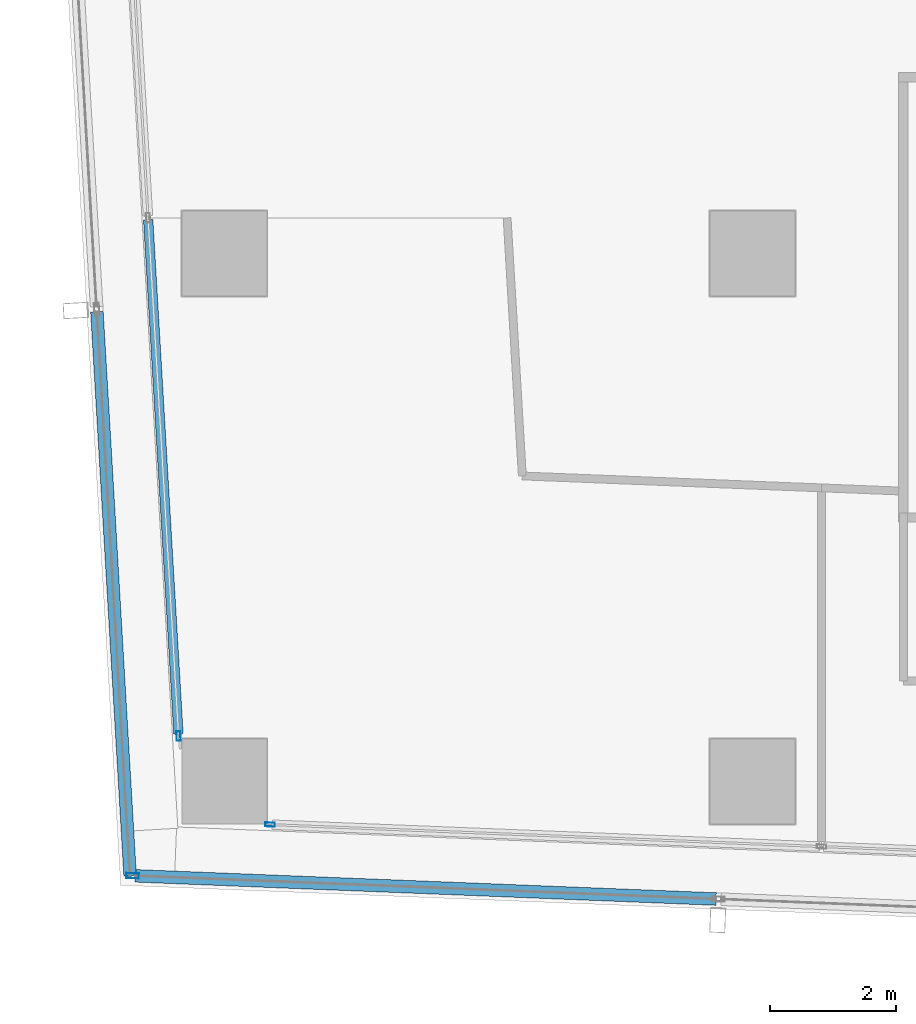
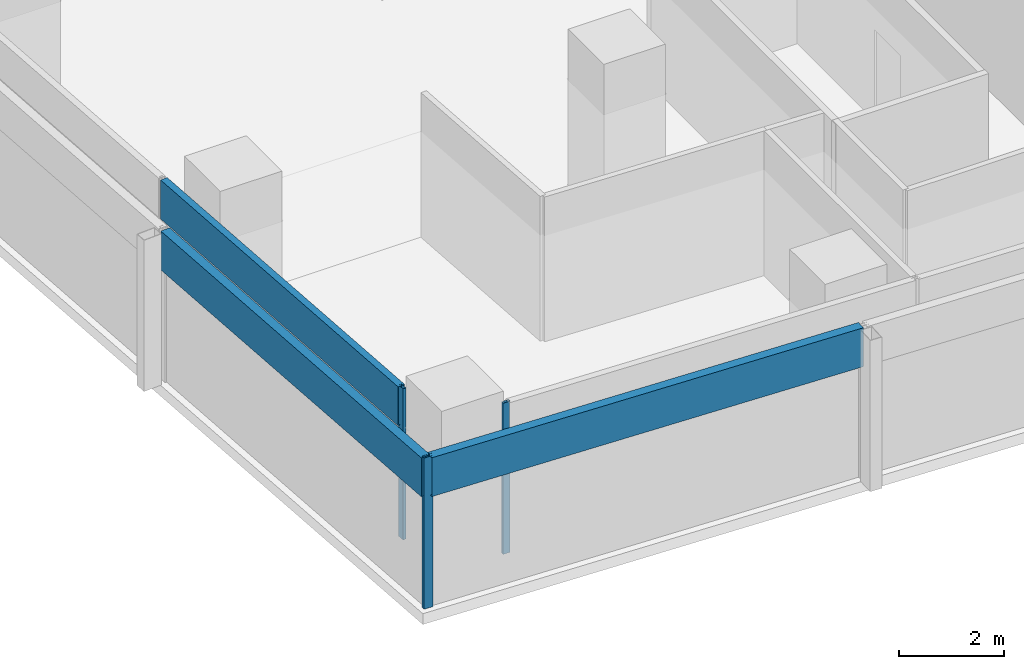
# One storey, part 2 of 40: 6 members, 4 elements without a shape of their own.
"""IFC4 building model written with IfcOpenShell, lengths in metres."""

from ifc_helpers import new_model, si_unit, direction, frame, origin, origin_2d, place, context, subcontext, project, spatial, hollow_rectangle, extrude, material, material_profile, profile_set, type_object, element, aggregate, save


model = new_model("IFC4")

# Units and contexts
model_context = context("Model", 3, precision=1e-05, world=origin(), true_north=direction((0.0, 1.0)))
body_context = subcontext(model_context, "Body", "Model", "MODEL_VIEW")
ifc_project = project(units=[si_unit("LENGTHUNIT", "METRE"), si_unit("AREAUNIT", "SQUARE_METRE"), si_unit("VOLUMEUNIT", "CUBIC_METRE"), si_unit("PLANEANGLEUNIT", "RADIAN"), si_unit("MASSUNIT", "GRAM", prefix="KILO")], contexts=[model_context])

# Site, building, storey
site_placement = place(None, origin())
site = spatial("IfcSite", under=ifc_project, at=site_placement, CompositionType="ELEMENT")
building_placement = place(site_placement, origin())
building = spatial("IfcBuilding", under=site, at=building_placement, Name="Rekha Terrace Tower", CompositionType="ELEMENT")
storey_placement = place(building_placement, frame((0.0, 0.0, 213.949951171875)))
storey = spatial("IfcBuildingStorey", under=building, at=storey_placement, Name="L54", CompositionType="ELEMENT", Elevation=213.949951171875)

# Curtain wall, member
ifc_material_1 = material(Name="Aluminium framing", Category="aluminium")
curtain_wall_type_1 = type_object("IfcCurtainWallType", Name="CW1 double skin inner glazing", PredefinedType="USERDEFINED", material=ifc_material_1)
curtain_wall_1_placement = place(storey_placement, origin())
curtain_wall_1 = element("IfcCurtainWall", 1, at=curtain_wall_1_placement, inside=storey, type_object=curtain_wall_type_1, Name="CW1 double skin inner glazing", ObjectType="DOUBLE SKIN INNER GLAZING", PredefinedType="USERDEFINED")
ifc_material_2 = material(Name="Aluminium mullion section", Category="aluminium")
ifc_material_profile_1 = material_profile(ifc_material_2, hollow_rectangle(XDim=0.06494140625, YDim=0.14990234375, WallThickness=0.00390625, at=origin_2d()), Name="AL RHS 65x150")
ifc_profile_set_1 = profile_set([ifc_material_profile_1], Name="Aluminium mullion section")
member_type_1 = type_object("IfcMemberType", Name="CW1 mullion RHS 65 x 150", PredefinedType="MULLION", material=ifc_profile_set_1)
member_1_placement = place(storey_placement, frame((9.127197265625, 16.115966796875, 0.0), z_axis=(0.0, 0.0, 1.0), x_axis=(0.039872497061, 0.999204775798, 0.0)))
member_1 = element("IfcMember", 2, at=member_1_placement, type_object=member_type_1, Name="CW1 mullion 1", PredefinedType="MULLION", context=body_context, shape_type="SweptSolid", body=[
    extrude(hollow_rectangle(XDim=0.06494140625, YDim=0.14990234375, WallThickness=0.00390625, at=origin_2d()), origin(), (0.0, 0.0, 1.0), 3.5),
])
aggregate(curtain_wall_1, [member_1])

# Curtain wall, members
curtain_wall_2_placement = place(storey_placement, origin())
curtain_wall_2 = element("IfcCurtainWall", 3, at=curtain_wall_2_placement, inside=storey, type_object=curtain_wall_type_1, Name="CW1 double skin inner glazing", ObjectType="DOUBLE SKIN INNER GLAZING", PredefinedType="USERDEFINED")
member_2_placement = place(storey_placement, frame((7.672119140625, 17.5244140625, 0.0), z_axis=(0.0, 0.0, 1.0), x_axis=(0.998271839269, 0.058765082516, 0.0)))
member_2 = element("IfcMember", 4, at=member_2_placement, type_object=member_type_1, Name="CW1 mullion 4", PredefinedType="MULLION", context=body_context, shape_type="SweptSolid", body=[
    extrude(hollow_rectangle(XDim=0.06494140625, YDim=0.14990234375, WallThickness=0.00390625, at=origin_2d()), origin(), (0.0, 0.0, 1.0), 3.5),
])
ifc_material_3 = material(Name="Insulated aluminium spandrel box", Category="aluminium")
ifc_material_profile_2 = material_profile(ifc_material_3, hollow_rectangle(XDim=0.14990234375, YDim=0.89990234375, WallThickness=0.0029296875, at=origin_2d()), Name="AL SPANDREL BOX 150x900")
ifc_profile_set_2 = profile_set([ifc_material_profile_2], Name="Insulated aluminium spandrel box")
member_type_2 = type_object("IfcMemberType", Name="CW1 spandrel transom 150 x 900", PredefinedType="USERDEFINED", material=ifc_profile_set_2)
member_3_placement = place(storey_placement, frame((7.188720703125, 25.733642578125, 3.050048828125), z_axis=(0.058777934282, -0.998271082643, 0.0), x_axis=(0.998271082643, 0.058777934282, 0.0)))
member_3 = element("IfcMember", 5, at=member_3_placement, type_object=member_type_2, Name="CW1 spandrel transom 3", ObjectType="TRANSOM", PredefinedType="USERDEFINED", context=body_context, shape_type="SweptSolid", body=[
    extrude(hollow_rectangle(XDim=0.14990234375, YDim=0.89990234375, WallThickness=0.0029296875, at=origin_2d()), origin(), (0.0, 0.0, 1.0), 8.19091796875),
])
aggregate(curtain_wall_2, [member_2, member_3])

curtain_wall_type_2 = type_object("IfcCurtainWallType", Name="CW2 double skin outer glazing", PredefinedType="USERDEFINED", material=ifc_material_1)
curtain_wall_3_placement = place(storey_placement, origin())
curtain_wall_3 = element("IfcCurtainWall", 6, at=curtain_wall_3_placement, inside=storey, type_object=curtain_wall_type_2, Name="CW2 double skin outer glazing", ObjectType="DOUBLE SKIN OUTER GLAZING", PredefinedType="USERDEFINED")
ifc_material_profile_3 = material_profile(ifc_material_2, hollow_rectangle(XDim=0.080078125, YDim=0.199951171875, WallThickness=0.00390625, at=origin_2d()), Name="AL RHS 80x200")
ifc_profile_set_3 = profile_set([ifc_material_profile_3], Name="Aluminium mullion section")
member_type_3 = type_object("IfcMemberType", Name="CW2 mullion RHS 80 x 200", PredefinedType="MULLION", material=ifc_profile_set_3)
member_4_placement = place(storey_placement, frame((6.941162109375, 15.302490234375, 0.0), z_axis=(0.0, 0.0, 1.0), x_axis=(0.039872497044, 0.999204775799, 0.0)))
member_4 = element("IfcMember", 7, at=member_4_placement, type_object=member_type_3, Name="CW2 mullion 1", PredefinedType="MULLION", context=body_context, shape_type="SweptSolid", body=[
    extrude(hollow_rectangle(XDim=0.080078125, YDim=0.199951171875, WallThickness=0.00390625, at=origin_2d()), origin(), (0.0, 0.0, 1.0), 3.5),
])
ifc_material_profile_4 = material_profile(ifc_material_3, hollow_rectangle(XDim=0.199951171875, YDim=0.89990234375, WallThickness=0.0029296875, at=origin_2d()), Name="AL SPANDREL BOX 200x900")
ifc_profile_set_4 = profile_set([ifc_material_profile_4], Name="Insulated aluminium spandrel box")
member_type_4 = type_object("IfcMemberType", Name="CW2 spandrel transom 200 x 900", PredefinedType="USERDEFINED", material=ifc_profile_set_4)
member_5_placement = place(storey_placement, frame((6.981201171875, 15.301025390625, 3.050048828125), z_axis=(0.999203782278, -0.039897386899, 0.0), x_axis=(0.039897386899, 0.999203782278, 0.0)))
member_5 = element("IfcMember", 8, at=member_5_placement, type_object=member_type_4, Name="CW2 spandrel transom 1", ObjectType="TRANSOM", PredefinedType="USERDEFINED", context=body_context, shape_type="SweptSolid", body=[
    extrude(hollow_rectangle(XDim=0.199951171875, YDim=0.89990234375, WallThickness=0.0029296875, at=origin_2d()), origin(), (0.0, 0.0, 1.0), 9.24609375),
])
aggregate(curtain_wall_3, [member_4, member_5])

# Curtain wall, member
curtain_wall_4_placement = place(storey_placement, origin())
curtain_wall_4 = element("IfcCurtainWall", 9, at=curtain_wall_4_placement, inside=storey, type_object=curtain_wall_type_2, Name="CW2 double skin outer glazing", ObjectType="DOUBLE SKIN OUTER GLAZING", PredefinedType="USERDEFINED")
member_6_placement = place(storey_placement, frame((6.373291015625, 24.27197265625, 3.050048828125), z_axis=(0.058757071111, -0.998272310842, 0.0), x_axis=(0.998272310842, 0.058757071111, 0.0)))
member_6 = element("IfcMember", 10, at=member_6_placement, type_object=member_type_4, Name="CW2 spandrel transom 3", ObjectType="TRANSOM", PredefinedType="USERDEFINED", context=body_context, shape_type="SweptSolid", body=[
    extrude(hollow_rectangle(XDim=0.199951171875, YDim=0.89990234375, WallThickness=0.0029296875, at=origin_2d()), origin(), (0.0, 0.0, 1.0), 8.9833984375),
])
aggregate(curtain_wall_4, [member_6])

save(model, "model.ifc")
